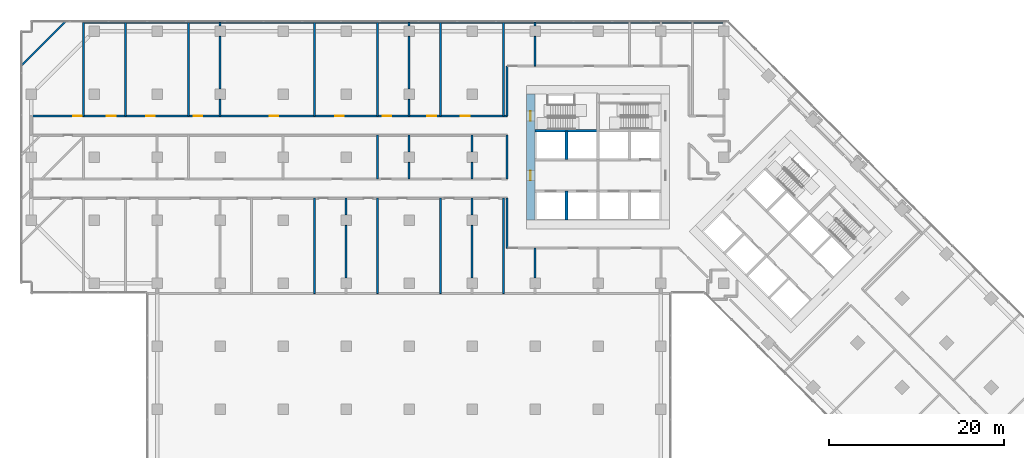
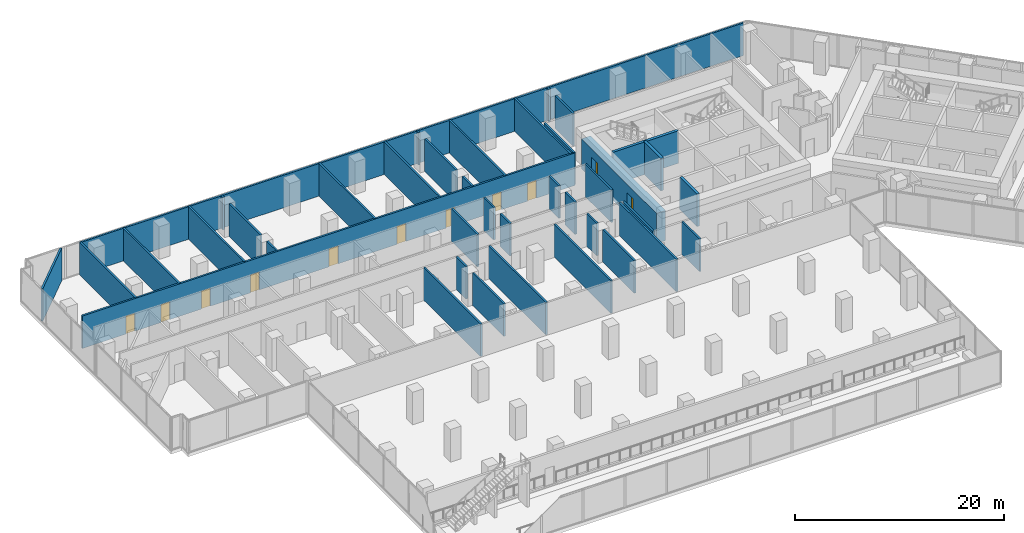
# One storey, part 20 of 27: 39 walls, 11 doors, 11 openings.
"""IFC4 building model written with IfcOpenShell, lengths in metres."""

from ifc_helpers import new_model, si_unit, direction, frame, frame_2d, origin, place, context, subcontext, project, spatial, rectangle, extrude, material, layer, layer_set, type_object, element, fill, save


model = new_model("IFC4")

# Units and contexts
model_context = context("Model", 3, precision=1e-05, world=origin(), true_north=direction((0.0, 1.0)))
body_context = subcontext(model_context, "Body", "Model", "MODEL_VIEW")
ifc_project = project(units=[si_unit("LENGTHUNIT", "METRE"), si_unit("AREAUNIT", "SQUARE_METRE"), si_unit("VOLUMEUNIT", "CUBIC_METRE"), si_unit("PLANEANGLEUNIT", "RADIAN"), si_unit("MASSUNIT", "GRAM", prefix="KILO")], contexts=[model_context])

# Site, building, storey
site_placement = place(None, origin())
site = spatial("IfcSite", under=ifc_project, at=site_placement, CompositionType="ELEMENT")
building_placement = place(site_placement, origin())
building = spatial("IfcBuilding", under=site, at=building_placement, Name="Windrow Commons", CompositionType="ELEMENT")
storey_placement = place(building_placement, frame((0.0, 0.0, 6.0)))
storey = spatial("IfcBuildingStorey", under=building, at=storey_placement, Name="L01", CompositionType="ELEMENT", Elevation=6.0)

# Wall, openings, doors
ifc_material_1 = material(Name="Blockwork partition", Category="masonry")
ifc_layer_1 = layer(ifc_material_1, 0.2)
ifc_layer_set_1 = layer_set([ifc_layer_1], Name="IW-CORRIDOR-200")
wall_type_1 = type_object("IfcWallType", Name="IW-CORRIDOR-200", PredefinedType="PARTITIONING", material=ifc_layer_set_1)
wall_1_placement = place(storey_placement, frame((0.002, 62.3, 0.0), z_axis=(0.0, 0.0, 1.0), x_axis=(1.0, 0.0, 0.0)))
wall_1 = element("IfcWall", 1, at=wall_1_placement, inside=storey, type_object=wall_type_1, Name="W-L01-W005", PredefinedType="PARTITIONING", context=body_context, shape_type="SweptSolid", body=[
    extrude(rectangle(XDim=54.398, YDim=0.2, at=frame_2d((27.199, 0.0))), origin(), (0.0, 0.0, 1.0), 3.8),
])
opening_1_placement = place(wall_1_placement, frame((8.6667, 0.0, 0.0)))
opening_1 = element("IfcOpeningElement", 2, at=opening_1_placement, cuts=wall_1, Name="Opening D310F", PredefinedType="OPENING", context=body_context, shape_type="SweptSolid", body=[
    extrude(rectangle(XDim=1.0, YDim=2.1, at=frame_2d((0.5, 1.05))), frame((0.0, 0.11, 0.0), z_axis=(0.0, -1.0, 0.0), x_axis=(1.0, 0.0, 0.0)), (0.0, 0.0, 1.0), 0.22),
])
opening_2_placement = place(wall_1_placement, frame((13.1355, 0.0, 0.0)))
opening_2 = element("IfcOpeningElement", 3, at=opening_2_placement, cuts=wall_1, Name="Opening D310F", PredefinedType="OPENING", context=body_context, shape_type="SweptSolid", body=[
    extrude(rectangle(XDim=1.0, YDim=2.1, at=frame_2d((0.5, 1.05))), frame((0.0, 0.11, 0.0), z_axis=(0.0, -1.0, 0.0), x_axis=(1.0, 0.0, 0.0)), (0.0, 0.0, 1.0), 0.22),
])
opening_3_placement = place(wall_1_placement, frame((18.5655, 0.0, 0.0)))
opening_3 = element("IfcOpeningElement", 4, at=opening_3_placement, cuts=wall_1, Name="Opening D310F", PredefinedType="OPENING", context=body_context, shape_type="SweptSolid", body=[
    extrude(rectangle(XDim=1.0, YDim=2.1, at=frame_2d((0.5, 1.05))), frame((0.0, 0.11, 0.0), z_axis=(0.0, -1.0, 0.0), x_axis=(1.0, 0.0, 0.0)), (0.0, 0.0, 1.0), 0.22),
])
opening_4_placement = place(wall_1_placement, frame((27.2563, 0.0, 0.0)))
opening_4 = element("IfcOpeningElement", 5, at=opening_4_placement, cuts=wall_1, Name="Opening D310F", PredefinedType="OPENING", context=body_context, shape_type="SweptSolid", body=[
    extrude(rectangle(XDim=1.0, YDim=2.1, at=frame_2d((0.5, 1.05))), frame((0.0, 0.11, 0.0), z_axis=(0.0, -1.0, 0.0), x_axis=(1.0, 0.0, 0.0)), (0.0, 0.0, 1.0), 0.22),
])
opening_5_placement = place(wall_1_placement, frame((34.7355, 0.0, 0.0)))
opening_5 = element("IfcOpeningElement", 6, at=opening_5_placement, cuts=wall_1, Name="Opening D310F", PredefinedType="OPENING", context=body_context, shape_type="SweptSolid", body=[
    extrude(rectangle(XDim=1.0, YDim=2.1, at=frame_2d((0.5, 1.05))), frame((0.0, 0.11, 0.0), z_axis=(0.0, -1.0, 0.0), x_axis=(1.0, 0.0, 0.0)), (0.0, 0.0, 1.0), 0.22),
])
opening_6_placement = place(wall_1_placement, frame((40.1655, 0.0, 0.0)))
opening_6 = element("IfcOpeningElement", 7, at=opening_6_placement, cuts=wall_1, Name="Opening D310F", PredefinedType="OPENING", context=body_context, shape_type="SweptSolid", body=[
    extrude(rectangle(XDim=1.0, YDim=2.1, at=frame_2d((0.5, 1.05))), frame((0.0, 0.11, 0.0), z_axis=(0.0, -1.0, 0.0), x_axis=(1.0, 0.0, 0.0)), (0.0, 0.0, 1.0), 0.22),
])
opening_7_placement = place(wall_1_placement, frame((45.2905, 0.0, 0.0)))
opening_7 = element("IfcOpeningElement", 8, at=opening_7_placement, cuts=wall_1, Name="Opening D310F", PredefinedType="OPENING", context=body_context, shape_type="SweptSolid", body=[
    extrude(rectangle(XDim=1.0, YDim=2.1, at=frame_2d((0.5, 1.05))), frame((0.0, 0.11, 0.0), z_axis=(0.0, -1.0, 0.0), x_axis=(1.0, 0.0, 0.0)), (0.0, 0.0, 1.0), 0.22),
])
opening_8_placement = place(wall_1_placement, frame((49.1355, 0.0, 0.0)))
opening_8 = element("IfcOpeningElement", 9, at=opening_8_placement, cuts=wall_1, Name="Opening D310F", PredefinedType="OPENING", context=body_context, shape_type="SweptSolid", body=[
    extrude(rectangle(XDim=1.0, YDim=2.1, at=frame_2d((0.5, 1.05))), frame((0.0, 0.11, 0.0), z_axis=(0.0, -1.0, 0.0), x_axis=(1.0, 0.0, 0.0)), (0.0, 0.0, 1.0), 0.22),
])
opening_9_placement = place(wall_1_placement, frame((4.8073, 0.0, 0.0)))
opening_9 = element("IfcOpeningElement", 10, at=opening_9_placement, cuts=wall_1, Name="Opening D310F", PredefinedType="OPENING", context=body_context, shape_type="SweptSolid", body=[
    extrude(rectangle(XDim=1.0, YDim=2.1, at=frame_2d((0.5, 1.05))), frame((0.0, 0.11, 0.0), z_axis=(0.0, -1.0, 0.0), x_axis=(1.0, 0.0, 0.0)), (0.0, 0.0, 1.0), 0.22),
])
ifc_material_2 = material(Name="Timber door leaf", Category="wood")
door_type_1 = type_object("IfcDoorType", Name="DT-AMENITY-1000", OperationType="SINGLE_SWING_LEFT", PredefinedType="DOOR", material=ifc_material_2)
door_1_placement = place(opening_1_placement, origin())
door_1 = element("IfcDoor", 11, at=door_1_placement, inside=storey, type_object=door_type_1, Name="D-L01-D022", OperationType="SINGLE_SWING_RIGHT", OverallHeight=2.1, OverallWidth=1.0, PredefinedType="DOOR", context=body_context, shape_type="SweptSolid", body=[
    extrude(rectangle(XDim=1.0, YDim=2.1, at=frame_2d((0.5, 1.05))), frame((0.0, 0.025, 0.0), z_axis=(0.0, -1.0, 0.0), x_axis=(1.0, 0.0, 0.0)), (0.0, 0.0, 1.0), 0.05),
])
fill(opening_1, door_1)
door_2_placement = place(opening_2_placement, origin())
door_2 = element("IfcDoor", 12, at=door_2_placement, inside=storey, type_object=door_type_1, Name="D-L01-D023", OperationType="SINGLE_SWING_LEFT", OverallHeight=2.1, OverallWidth=1.0, PredefinedType="DOOR", context=body_context, shape_type="SweptSolid", body=[
    extrude(rectangle(XDim=1.0, YDim=2.1, at=frame_2d((0.5, 1.05))), frame((0.0, 0.025, 0.0), z_axis=(0.0, -1.0, 0.0), x_axis=(1.0, 0.0, 0.0)), (0.0, 0.0, 1.0), 0.05),
])
fill(opening_2, door_2)
door_3_placement = place(opening_3_placement, origin())
door_3 = element("IfcDoor", 13, at=door_3_placement, inside=storey, type_object=door_type_1, Name="D-L01-D024", OperationType="SINGLE_SWING_LEFT", OverallHeight=2.1, OverallWidth=1.0, PredefinedType="DOOR", context=body_context, shape_type="SweptSolid", body=[
    extrude(rectangle(XDim=1.0, YDim=2.1, at=frame_2d((0.5, 1.05))), frame((0.0, 0.025, 0.0), z_axis=(0.0, -1.0, 0.0), x_axis=(1.0, 0.0, 0.0)), (0.0, 0.0, 1.0), 0.05),
])
fill(opening_3, door_3)
door_4_placement = place(opening_4_placement, origin())
door_4 = element("IfcDoor", 14, at=door_4_placement, inside=storey, type_object=door_type_1, Name="D-L01-D025", OperationType="SINGLE_SWING_RIGHT", OverallHeight=2.1, OverallWidth=1.0, PredefinedType="DOOR", context=body_context, shape_type="SweptSolid", body=[
    extrude(rectangle(XDim=1.0, YDim=2.1, at=frame_2d((0.5, 1.05))), frame((0.0, 0.025, 0.0), z_axis=(0.0, -1.0, 0.0), x_axis=(1.0, 0.0, 0.0)), (0.0, 0.0, 1.0), 0.05),
])
fill(opening_4, door_4)
door_5_placement = place(opening_5_placement, origin())
door_5 = element("IfcDoor", 15, at=door_5_placement, inside=storey, type_object=door_type_1, Name="D-L01-D026", OperationType="SINGLE_SWING_LEFT", OverallHeight=2.1, OverallWidth=1.0, PredefinedType="DOOR", context=body_context, shape_type="SweptSolid", body=[
    extrude(rectangle(XDim=1.0, YDim=2.1, at=frame_2d((0.5, 1.05))), frame((0.0, 0.025, 0.0), z_axis=(0.0, -1.0, 0.0), x_axis=(1.0, 0.0, 0.0)), (0.0, 0.0, 1.0), 0.05),
])
fill(opening_5, door_5)
door_6_placement = place(opening_6_placement, origin())
door_6 = element("IfcDoor", 16, at=door_6_placement, inside=storey, type_object=door_type_1, Name="D-L01-D027", OperationType="SINGLE_SWING_LEFT", OverallHeight=2.1, OverallWidth=1.0, PredefinedType="DOOR", context=body_context, shape_type="SweptSolid", body=[
    extrude(rectangle(XDim=1.0, YDim=2.1, at=frame_2d((0.5, 1.05))), frame((0.0, 0.025, 0.0), z_axis=(0.0, -1.0, 0.0), x_axis=(1.0, 0.0, 0.0)), (0.0, 0.0, 1.0), 0.05),
])
fill(opening_6, door_6)
door_7_placement = place(opening_7_placement, origin())
door_7 = element("IfcDoor", 17, at=door_7_placement, inside=storey, type_object=door_type_1, Name="D-L01-D028", OperationType="SINGLE_SWING_RIGHT", OverallHeight=2.1, OverallWidth=1.0, PredefinedType="DOOR", context=body_context, shape_type="SweptSolid", body=[
    extrude(rectangle(XDim=1.0, YDim=2.1, at=frame_2d((0.5, 1.05))), frame((0.0, 0.025, 0.0), z_axis=(0.0, -1.0, 0.0), x_axis=(1.0, 0.0, 0.0)), (0.0, 0.0, 1.0), 0.05),
])
fill(opening_7, door_7)
door_8_placement = place(opening_8_placement, origin())
door_8 = element("IfcDoor", 18, at=door_8_placement, inside=storey, type_object=door_type_1, Name="D-L01-D029", OperationType="SINGLE_SWING_LEFT", OverallHeight=2.1, OverallWidth=1.0, PredefinedType="DOOR", context=body_context, shape_type="SweptSolid", body=[
    extrude(rectangle(XDim=1.0, YDim=2.1, at=frame_2d((0.5, 1.05))), frame((0.0, 0.025, 0.0), z_axis=(0.0, -1.0, 0.0), x_axis=(1.0, 0.0, 0.0)), (0.0, 0.0, 1.0), 0.05),
])
fill(opening_8, door_8)
door_9_placement = place(opening_9_placement, origin())
door_9 = element("IfcDoor", 19, at=door_9_placement, inside=storey, type_object=door_type_1, Name="D-L01-D035", OperationType="SINGLE_SWING_LEFT", OverallHeight=2.1, OverallWidth=1.0, PredefinedType="DOOR", context=body_context, shape_type="SweptSolid", body=[
    extrude(rectangle(XDim=1.0, YDim=2.1, at=frame_2d((0.5, 1.05))), frame((0.0, 0.025, 0.0), z_axis=(0.0, -1.0, 0.0), x_axis=(1.0, 0.0, 0.0)), (0.0, 0.0, 1.0), 0.05),
])
fill(opening_9, door_9)

# Walls
wall_2_placement = place(storey_placement, frame((54.4, 47.2, 0.0), z_axis=(0.0, 0.0, 1.0), x_axis=(0.0, 1.0, 0.0)))
element("IfcWall", 20, at=wall_2_placement, inside=storey, type_object=wall_type_1, Name="W-L01-W048", PredefinedType="PARTITIONING", context=body_context, shape_type="SweptSolid", body=[
    extrude(rectangle(XDim=5.7, YDim=0.2, at=frame_2d((2.85, 0.0))), origin(), (0.0, 0.0, 1.0), 3.8),
])
wall_3_placement = place(storey_placement, frame((54.4, 62.302, 0.0), z_axis=(0.0, 0.0, 1.0), x_axis=(0.0, 1.0, 0.0)))
element("IfcWall", 21, at=wall_3_placement, inside=storey, type_object=wall_type_1, Name="W-L01-W049", PredefinedType="PARTITIONING", context=body_context, shape_type="SweptSolid", body=[
    extrude(rectangle(XDim=5.698, YDim=0.2, at=frame_2d((2.849, 0.0))), origin(), (0.0, 0.0, 1.0), 3.8),
])
wall_4_placement = place(storey_placement, frame((54.4, 55.102, 0.0), z_axis=(0.0, 0.0, 1.0), x_axis=(0.0, 1.0, 0.0)))
element("IfcWall", 22, at=wall_4_placement, inside=storey, type_object=wall_type_1, Name="W-L01-W055", PredefinedType="PARTITIONING", context=body_context, shape_type="SweptSolid", body=[
    extrude(rectangle(XDim=4.998, YDim=0.2, at=frame_2d((2.499, 0.0))), origin(), (0.0, 0.0, 1.0), 3.8),
])
ifc_material_3 = material(Name="Blockwork partition", Category="masonry")
ifc_layer_2 = layer(ifc_material_3, 0.2)
ifc_layer_set_2 = layer_set([ifc_layer_2], Name="IW-PARTY-200")
wall_type_2 = type_object("IfcWallType", Name="IW-PARTY-200", PredefinedType="PARTITIONING", material=ifc_layer_set_2)
wall_5_placement = place(storey_placement, frame((6.0, 73.0, 0.0), z_axis=(0.0, 0.0, 1.0), x_axis=(1.0, 0.0, 0.0)))
element("IfcWall", 23, at=wall_5_placement, inside=storey, type_object=wall_type_2, Name="W-L01-W000", PredefinedType="PARTITIONING", context=body_context, shape_type="SweptSolid", body=[
    extrude(rectangle(XDim=73.2, YDim=0.2, at=frame_2d((36.6, 0.0))), origin(), (0.0, 0.0, 1.0), 3.8),
])
for number, where, z_axis, x_axis, name in (
    (24, (32.4, 42.0, 0.0), (0.0, 0.0, 1.0), (0.0, 1.0, 0.0), "W-L01-W010"),
    (25, (39.6, 42.0, 0.0), (0.0, 0.0, 1.0), (0.0, 1.0, 0.0), "W-L01-W011"),
    (26, (46.8, 42.0, 0.0), (0.0, 0.0, 1.0), (0.0, 1.0, 0.0), "W-L01-W012"),
    (27, (54.0, 42.0, 0.0), (0.0, 0.0, 1.0), (0.0, 1.0, 0.0), "W-L01-W013"),
):
    element("IfcWall", number, at=place(storey_placement, frame(where, z_axis=z_axis, x_axis=x_axis)), inside=storey, type_object=wall_type_2, Name=name, PredefinedType="PARTITIONING", context=body_context, shape_type="SweptSolid", body=[
        extrude(rectangle(XDim=10.9, YDim=0.2, at=frame_2d((5.45, 0.0))), origin(), (0.0, 0.0, 1.0), 3.8),
    ])
for number, where, z_axis, x_axis, name in (
    (28, (10.8, 62.3, 0.0), (0.0, 0.0, 1.0), (0.0, 1.0, 0.0), "W-L01-W024"),
    (29, (18.0, 62.3, 0.0), (0.0, 0.0, 1.0), (0.0, 1.0, 0.0), "W-L01-W025"),
    (30, (32.4, 62.3, 0.0), (0.0, 0.0, 1.0), (0.0, 1.0, 0.0), "W-L01-W026"),
    (31, (39.6, 62.3, 0.0), (0.0, 0.0, 1.0), (0.0, 1.0, 0.0), "W-L01-W027"),
    (32, (46.8, 62.3, 0.0), (0.0, 0.0, 1.0), (0.0, 1.0, 0.0), "W-L01-W028"),
    (33, (54.0, 62.3, 0.0), (0.0, 0.0, 1.0), (0.0, 1.0, 0.0), "W-L01-W029"),
):
    element("IfcWall", number, at=place(storey_placement, frame(where, z_axis=z_axis, x_axis=x_axis)), inside=storey, type_object=wall_type_2, Name=name, PredefinedType="PARTITIONING", context=body_context, shape_type="SweptSolid", body=[
        extrude(rectangle(XDim=10.7, YDim=0.2, at=frame_2d((5.35, 0.0))), origin(), (0.0, 0.0, 1.0), 3.8),
    ])
wall_6_placement = place(storey_placement, frame((6.0, 62.3, 0.0), z_axis=(0.0, 0.0, 1.0), x_axis=(0.0, 1.0, 0.0)))
element("IfcWall", 34, at=wall_6_placement, inside=storey, type_object=wall_type_2, Name="W-L01-W031", PredefinedType="PARTITIONING", context=body_context, shape_type="SweptSolid", body=[
    extrude(rectangle(XDim=10.698, YDim=0.2, at=frame_2d((5.349, 0.0))), origin(), (0.0, 0.0, 1.0), 3.8),
])
wall_7_placement = place(storey_placement, frame((-1.0706, 68.0986, 0.0), z_axis=(0.0, 0.0, 1.0), x_axis=(0.7071067812, 0.7071067812, 0.0)))
element("IfcWall", 35, at=wall_7_placement, inside=storey, type_object=wall_type_2, Name="W-L01-W037", PredefinedType="PARTITIONING", context=body_context, shape_type="SweptSolid", body=[
    extrude(rectangle(XDim=7.0315, YDim=0.2, at=frame_2d((3.5158, 0.0))), origin(), (0.0, 0.0, 1.0), 3.8),
])
for number, where, z_axis, x_axis, name in (
    (36, (21.6, 65.4, 0.0), (0.0, 0.0, 1.0), (0.0, 1.0, 0.0), "W-L01-W042"),
    (37, (36.0, 43.8, 0.0), (0.0, 0.0, 1.0), (0.0, 1.0, 0.0), "W-L01-W043"),
    (38, (43.2, 65.4, 0.0), (0.0, 0.0, 1.0), (0.0, 1.0, 0.0), "W-L01-W044"),
    (39, (50.4, 43.8, 0.0), (0.0, 0.0, 1.0), (0.0, 1.0, 0.0), "W-L01-W045"),
):
    element("IfcWall", number, at=place(storey_placement, frame(where, z_axis=z_axis, x_axis=x_axis)), inside=storey, type_object=wall_type_2, Name=name, PredefinedType="PARTITIONING", context=body_context, shape_type="SweptSolid", body=[
        extrude(rectangle(XDim=6.0, YDim=0.2, at=frame_2d((3.0, 0.0))), origin(), (0.0, 0.0, 1.0), 3.8),
    ])
wall_8_placement = place(storey_placement, frame((39.6, 55.1, 0.0), z_axis=(0.0, 0.0, 1.0), x_axis=(0.0, 1.0, 0.0)))
element("IfcWall", 40, at=wall_8_placement, inside=storey, type_object=wall_type_2, Name="W-L01-W053", PredefinedType="PARTITIONING", context=body_context, shape_type="SweptSolid", body=[
    extrude(rectangle(XDim=5.0, YDim=0.2, at=frame_2d((2.5, 0.0))), origin(), (0.0, 0.0, 1.0), 3.8),
])
for number, where, z_axis, x_axis, name in (
    (41, (57.6, 43.8, 0.0), (0.0, 0.0, 1.0), (0.0, 1.0, 0.0), "W-L01-W064"),
    (42, (57.6, 68.0, 0.0), (0.0, 0.0, 1.0), (0.0, 1.0, 0.0), "W-L01-W065"),
):
    element("IfcWall", number, at=place(storey_placement, frame(where, z_axis=z_axis, x_axis=x_axis)), inside=storey, type_object=wall_type_2, Name=name, PredefinedType="PARTITIONING", context=body_context, shape_type="SweptSolid", body=[
        extrude(rectangle(XDim=3.4, YDim=0.2, at=frame_2d((1.7, 0.0))), origin(), (0.0, 0.0, 1.0), 3.8),
    ])
for number, where, z_axis, x_axis, name in (
    (43, (21.6, 62.3, 0.0), (0.0, 0.0, 1.0), (0.0, 1.0, 0.0), "W-L01-W085"),
    (44, (43.2, 62.3, 0.0), (0.0, 0.0, 1.0), (0.0, 1.0, 0.0), "W-L01-W086"),
    (45, (36.0, 51.0, 0.0), (0.0, 0.0, 1.0), (0.0, 1.0, 0.0), "W-L01-W094"),
    (46, (43.2, 55.1, 0.0), (0.0, 0.0, 1.0), (0.0, 1.0, 0.0), "W-L01-W095"),
    (47, (43.2, 58.2, 0.0), (0.0, 0.0, 1.0), (0.0, 1.0, 0.0), "W-L01-W096"),
    (48, (50.4, 51.0, 0.0), (0.0, 0.0, 1.0), (0.0, 1.0, 0.0), "W-L01-W097"),
    (49, (50.4, 55.1, 0.0), (0.0, 0.0, 1.0), (0.0, 1.0, 0.0), "W-L01-W098"),
    (50, (50.4, 58.2, 0.0), (0.0, 0.0, 1.0), (0.0, 1.0, 0.0), "W-L01-W099"),
):
    element("IfcWall", number, at=place(storey_placement, frame(where, z_axis=z_axis, x_axis=x_axis)), inside=storey, type_object=wall_type_2, Name=name, PredefinedType="PARTITIONING", context=body_context, shape_type="SweptSolid", body=[
        extrude(rectangle(XDim=1.9, YDim=0.2, at=frame_2d((0.95, 0.0))), origin(), (0.0, 0.0, 1.0), 3.8),
    ])
for number, where, z_axis, x_axis, name in (
    (51, (21.6, 72.6, 0.0), (0.0, 0.0, 1.0), (0.0, 1.0, 0.0), "W-L01-W145"),
    (52, (43.2, 72.6, 0.0), (0.0, 0.0, 1.0), (0.0, 1.0, 0.0), "W-L01-W146"),
    (53, (57.6, 72.6, 0.0), (0.0, 0.0, 1.0), (0.0, 1.0, 0.0), "W-L01-W147"),
):
    element("IfcWall", number, at=place(storey_placement, frame(where, z_axis=z_axis, x_axis=x_axis)), inside=storey, type_object=wall_type_2, Name=name, PredefinedType="PARTITIONING", context=body_context, shape_type="SweptSolid", body=[
        extrude(rectangle(XDim=0.4, YDim=0.2, at=frame_2d((0.2, 0.0))), origin(), (0.0, 0.0, 1.0), 3.8),
    ])

# Wall, openings, doors
ifc_material_4 = material(Name="Concrete C60/75", Category="concrete")
ifc_layer_3 = layer(ifc_material_4, 1.0)
ifc_layer_set_3 = layer_set([ifc_layer_3], Name="RC CORE WALL 1000 C60/75")
wall_type_3 = type_object("IfcWallType", Name="RC CORE WALL 1000 C60/75", PredefinedType="SHEAR", material=ifc_layer_set_3)
wall_9_placement = place(storey_placement, frame((57.1, 50.4, -0.4), z_axis=(0.0, 0.0, 1.0), x_axis=(0.0, 1.0, 0.0)))
wall_9 = element("IfcWall", 54, at=wall_9_placement, inside=storey, type_object=wall_type_3, Name="Core A wall outer-W", PredefinedType="SHEAR", context=body_context, shape_type="SweptSolid", body=[
    extrude(rectangle(XDim=14.4, YDim=1.0, at=frame_2d((7.2, 0.0))), origin(), (0.0, 0.0, 1.0), 3.5),
])
opening_10_placement = place(wall_9_placement, frame((4.55, 0.0, 0.4)))
opening_10 = element("IfcOpeningElement", 55, at=opening_10_placement, cuts=wall_9, Name="Opening D6", PredefinedType="OPENING", context=body_context, shape_type="SweptSolid", body=[
    extrude(rectangle(XDim=1.1, YDim=2.1, at=frame_2d((0.55, 1.05))), frame((0.0, 0.51, 0.0), z_axis=(0.0, -1.0, 0.0), x_axis=(1.0, 0.0, 0.0)), (0.0, 0.0, 1.0), 1.02),
])
opening_11_placement = place(wall_9_placement, frame((11.35, 0.0, 0.4)))
opening_11 = element("IfcOpeningElement", 56, at=opening_11_placement, cuts=wall_9, Name="Opening D7", PredefinedType="OPENING", context=body_context, shape_type="SweptSolid", body=[
    extrude(rectangle(XDim=1.1, YDim=2.1, at=frame_2d((0.55, 1.05))), frame((0.0, 0.51, 0.0), z_axis=(0.0, -1.0, 0.0), x_axis=(1.0, 0.0, 0.0)), (0.0, 0.0, 1.0), 1.02),
])
ifc_material_5 = material(Name="Steel fire door leaf", Category="steel")
door_type_2 = type_object("IfcDoorType", Name="Core lobby door 1100", OperationType="SINGLE_SWING_LEFT", PredefinedType="DOOR", material=ifc_material_5)
door_10_placement = place(opening_10_placement, origin())
door_10 = element("IfcDoor", 57, at=door_10_placement, inside=storey, type_object=door_type_2, Name="Lift lobby door", OperationType="DOUBLE_DOOR_SINGLE_SWING", OverallHeight=2.1, OverallWidth=1.1, PredefinedType="DOOR", context=body_context, shape_type="SweptSolid", body=[
    extrude(rectangle(XDim=1.1, YDim=2.1, at=frame_2d((0.55, 1.05))), frame((0.0, 0.025, 0.0), z_axis=(0.0, -1.0, 0.0), x_axis=(1.0, 0.0, 0.0)), (0.0, 0.0, 1.0), 0.05),
])
fill(opening_10, door_10)
ifc_material_6 = material(Name="Steel fire door leaf", Category="steel")
door_type_3 = type_object("IfcDoorType", Name="Stair door 1100", OperationType="SINGLE_SWING_LEFT", PredefinedType="DOOR", material=ifc_material_6)
door_11_placement = place(opening_11_placement, origin())
door_11 = element("IfcDoor", 58, at=door_11_placement, inside=storey, type_object=door_type_3, Name="Stair door", OperationType="SINGLE_SWING_LEFT", OverallHeight=2.1, OverallWidth=1.1, PredefinedType="DOOR", context=body_context, shape_type="SweptSolid", body=[
    extrude(rectangle(XDim=1.1, YDim=2.1, at=frame_2d((0.55, 1.05))), frame((0.0, 0.025, 0.0), z_axis=(0.0, -1.0, 0.0), x_axis=(1.0, 0.0, 0.0)), (0.0, 0.0, 1.0), 0.05),
])
fill(opening_11, door_11)

# Walls
ifc_material_7 = material(Name="Concrete C60/75", Category="concrete")
ifc_layer_4 = layer(ifc_material_7, 0.3)
ifc_layer_set_4 = layer_set([ifc_layer_4], Name="RC SHAFT WALL 300 C60/75")
wall_type_4 = type_object("IfcWallType", Name="RC SHAFT WALL 300 C60/75", PredefinedType="SOLIDWALL", material=ifc_layer_set_4)
for number, where, z_axis, x_axis, name in (
    (59, (61.2, 50.4, 0.0), (0.0, 0.0, 1.0), (0.0, 1.0, 0.0), "Core A wall shaft-S1"),
    (60, (61.2, 57.3, 0.0), (0.0, 0.0, 1.0), (0.0, 1.0, 0.0), "Core A wall shaft-N1"),
):
    element("IfcWall", number, at=place(storey_placement, frame(where, z_axis=z_axis, x_axis=x_axis)), inside=storey, type_object=wall_type_4, Name=name, PredefinedType="SOLIDWALL", context=body_context, shape_type="SweptSolid", body=[
        extrude(rectangle(XDim=3.3, YDim=0.3, at=frame_2d((1.65, 0.0))), origin(), (0.0, 0.0, 1.0), 3.8),
    ])
wall_10_placement = place(storey_placement, frame((57.6, 60.6, 0.0), z_axis=(0.0, 0.0, 1.0), x_axis=(1.0, 0.0, 0.0)))
element("IfcWall", 61, at=wall_10_placement, inside=storey, type_object=wall_type_4, Name="Core A wall stair-S", PredefinedType="SOLIDWALL", context=body_context, shape_type="SweptSolid", body=[
    extrude(rectangle(XDim=7.2, YDim=0.3, at=frame_2d((3.6, 0.0))), origin(), (0.0, 0.0, 1.0), 3.8),
])

save(model, "model.ifc")
